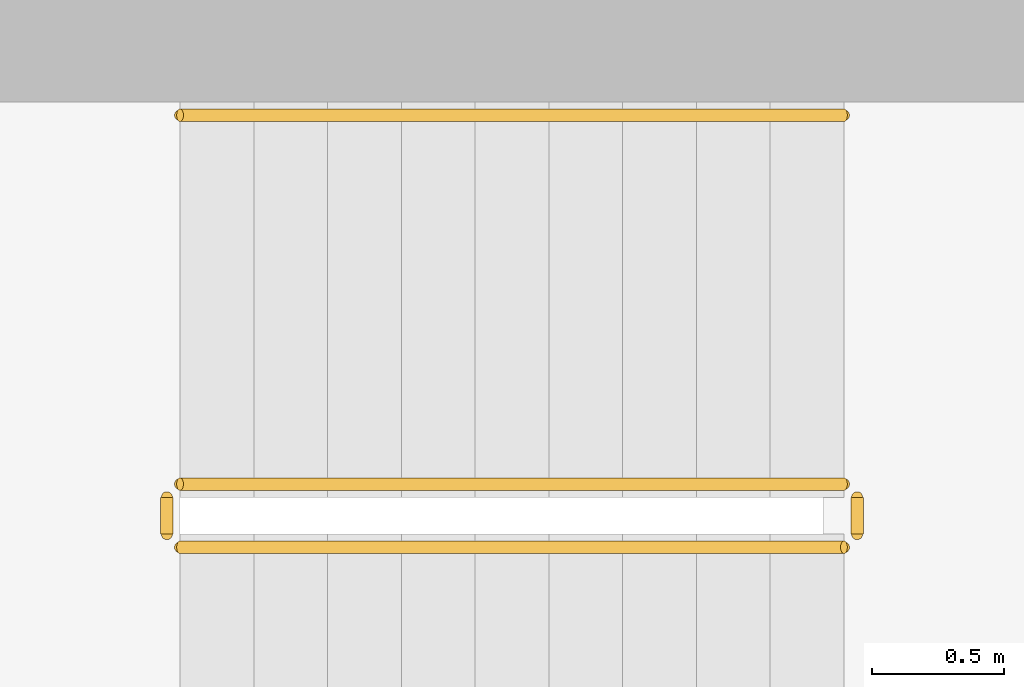
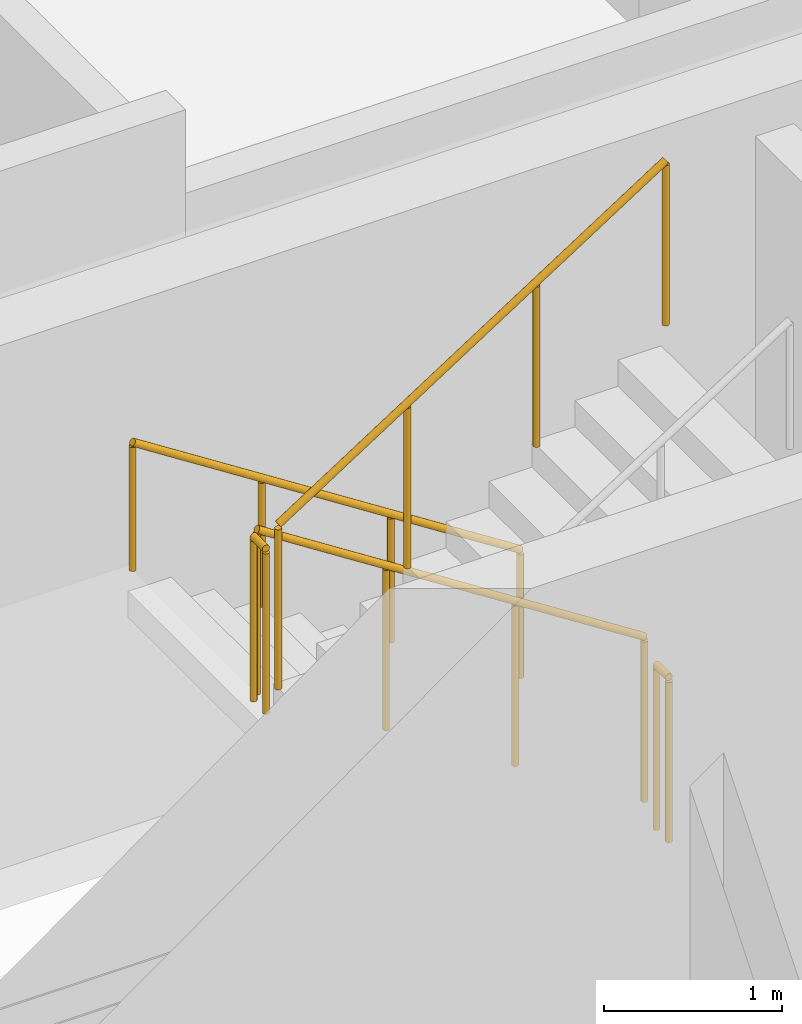
# One storey, part 13 of 14: 5 railings.
"""IFC4 building model written with IfcOpenShell, lengths in metres."""

from ifc_helpers import new_model, si_unit, derived_unit, direction, frame, origin, origin_2d, place, context, subcontext, project, spatial, circle, extrude, material, type_object, element, save


model = new_model("IFC4")

# Units and contexts
model_context = context("Model", 3, precision=1e-05, world=origin(), true_north=direction((0.0, 1.0)))
body_context = subcontext(model_context, "Body", "Model", "MODEL_VIEW")
ifc_project = project(units=[si_unit("LENGTHUNIT", "METRE"), si_unit("AREAUNIT", "SQUARE_METRE"), si_unit("VOLUMEUNIT", "CUBIC_METRE"), si_unit("PLANEANGLEUNIT", "RADIAN"), si_unit("MASSUNIT", "GRAM", prefix="KILO"), derived_unit("THERMALTRANSMITTANCEUNIT", [(si_unit("POWERUNIT", "WATT"), 1), (si_unit("LENGTHUNIT", "METRE"), -2), (si_unit("THERMODYNAMICTEMPERATUREUNIT", "KELVIN"), -1)])], contexts=[model_context])

# Site, building, storey
site_placement = place(None, origin())
site = spatial("IfcSite", under=ifc_project, at=site_placement, CompositionType="ELEMENT")
building_placement = place(site_placement, origin())
building = spatial("IfcBuilding", under=site, at=building_placement, Name="Kivonza Crest Hotel", CompositionType="ELEMENT")
storey_placement = place(building_placement, frame((0.0, 0.0, 227.89990234375)))
storey = spatial("IfcBuildingStorey", under=building, at=storey_placement, Name="L62", CompositionType="ELEMENT", Elevation=227.89990234375)

# Railings
ifc_material_1 = material(Name="Brushed stainless steel handrail", Category="steel")
railing_type_1 = type_object("IfcRailingType", Name="RL-HAND-900", PredefinedType="HANDRAIL", material=ifc_material_1)
railing_1_placement = place(storey_placement, frame((12.239990234375, 36.110107421875, 0.18017578125)))
element("IfcRailing", 1, at=railing_1_placement, inside=storey, type_object=railing_type_1, Name="L62 ST-T1-N stair handrail 1", PredefinedType="HANDRAIL", context=body_context, shape_type="SweptSolid", body=[
    extrude(circle(Radius=0.02392578125, at=origin_2d()), frame((0.0, 0.0, 0.8759765625), z_axis=(-0.841199657755, 0.0, 0.540724639528), x_axis=(0.0, -1.0, 0.0)), (0.0, 0.0, 1.0), 2.995849609375),
    extrude(circle(Radius=0.02099609375, at=origin_2d()), origin(), (0.0, 0.0, 1.0), 0.851806640625),
    extrude(circle(Radius=0.02099609375, at=origin_2d()), frame((-0.840087890625, 0.0, 0.5400390625)), (0.0, 0.0, 1.0), 0.851806640625),
    extrude(circle(Radius=0.02099609375, at=origin_2d()), frame((-1.679931640625, 0.0, 1.079833984375)), (0.0, 0.0, 1.0), 0.851806640625),
    extrude(circle(Radius=0.02099609375, at=origin_2d()), frame((-2.52001953125, 0.0, 1.619873046875)), (0.0, 0.0, 1.0), 0.851806640625),
])
ifc_material_2 = material(Name="Painted steel balustrade", Category="steel")
railing_type_2 = type_object("IfcRailingType", Name="RL-STAIR-1150", PredefinedType="BALUSTRADE", material=ifc_material_2)
railing_2_placement = place(storey_placement, frame((12.239990234375, 34.7099609375, 0.18017578125)))
element("IfcRailing", 2, at=railing_2_placement, inside=storey, type_object=railing_type_2, Name="L62 ST-T1-N stair guard 1", PredefinedType="BALUSTRADE", context=body_context, shape_type="SweptSolid", body=[
    extrude(circle(Radius=0.02392578125, at=origin_2d()), frame((0.0, 0.0, 1.1259765625), z_axis=(-0.841199657755, 0.0, 0.540724639528), x_axis=(0.0, -1.0, 0.0)), (0.0, 0.0, 1.0), 2.995849609375),
    extrude(circle(Radius=0.02099609375, at=origin_2d()), origin(), (0.0, 0.0, 1.0), 1.101806640625),
    extrude(circle(Radius=0.02099609375, at=origin_2d()), frame((-0.840087890625, 0.0, 0.5400390625)), (0.0, 0.0, 1.0), 1.101806640625),
    extrude(circle(Radius=0.02099609375, at=origin_2d()), frame((-1.679931640625, 0.0, 1.079833984375)), (0.0, 0.0, 1.0), 1.101806640625),
    extrude(circle(Radius=0.02099609375, at=origin_2d()), frame((-2.52001953125, 0.0, 1.619873046875)), (0.0, 0.0, 1.0), 1.101806640625),
])
railing_3_placement = place(storey_placement, frame((9.669921875, 34.659912109375, 1.800048828125)))
element("IfcRailing", 3, at=railing_3_placement, inside=storey, type_object=railing_type_2, Name="L62 ST-T1-N stair guard 2", PredefinedType="BALUSTRADE", context=body_context, shape_type="SweptSolid", body=[
    extrude(circle(Radius=0.02392578125, at=origin_2d()), frame((0.0, 0.0, 1.1259765625), z_axis=(0.0, -1.0, 0.0), x_axis=(1.0, 0.0, 0.0)), (0.0, 0.0, 1.0), 0.139892578125),
    extrude(circle(Radius=0.02099609375, at=origin_2d()), origin(), (0.0, 0.0, 1.0), 1.101806640625),
    extrude(circle(Radius=0.02099609375, at=origin_2d()), frame((0.0, -0.139892578125, 0.0)), (0.0, 0.0, 1.0), 1.101806640625),
])
railing_4_placement = place(storey_placement, frame((9.719970703125, 34.469970703125, 1.97998046875)))
element("IfcRailing", 4, at=railing_4_placement, inside=storey, type_object=railing_type_2, Name="L62 ST-T1-N stair guard 3", PredefinedType="BALUSTRADE", context=body_context, shape_type="SweptSolid", body=[
    extrude(circle(Radius=0.02392578125, at=origin_2d()), frame((0.0, 0.0, 1.1259765625), z_axis=(0.841162588446, 0.0, 0.540782303519), x_axis=(0.0, 1.0, 0.0)), (0.0, 0.0, 1.0), 2.995849609375),
    extrude(circle(Radius=0.02099609375, at=origin_2d()), origin(), (0.0, 0.0, 1.0), 1.101806640625),
    extrude(circle(Radius=0.02099609375, at=origin_2d()), frame((0.840087890625, 0.0, 0.5400390625)), (0.0, 0.0, 1.0), 1.101806640625),
    extrude(circle(Radius=0.02099609375, at=origin_2d()), frame((1.679931640625, 0.0, 1.080078125)), (0.0, 0.0, 1.0), 1.101806640625),
    extrude(circle(Radius=0.02099609375, at=origin_2d()), frame((2.52001953125, 0.0, 1.6201171875)), (0.0, 0.0, 1.0), 1.101806640625),
])
railing_5_placement = place(storey_placement, frame((12.2900390625, 34.659912109375, 0.0)))
element("IfcRailing", 5, at=railing_5_placement, inside=storey, type_object=railing_type_2, Name="L62 ST-T1-N stair guard 4", PredefinedType="BALUSTRADE", context=body_context, shape_type="SweptSolid", body=[
    extrude(circle(Radius=0.02392578125, at=origin_2d()), frame((0.0, 0.0, 1.1259765625), z_axis=(0.0, -1.0, 0.0), x_axis=(1.0, 0.0, 0.0)), (0.0, 0.0, 1.0), 0.139892578125),
    extrude(circle(Radius=0.02099609375, at=origin_2d()), origin(), (0.0, 0.0, 1.0), 1.101806640625),
    extrude(circle(Radius=0.02099609375, at=origin_2d()), frame((0.0, -0.139892578125, 0.0)), (0.0, 0.0, 1.0), 1.101806640625),
])

save(model, "model.ifc")
